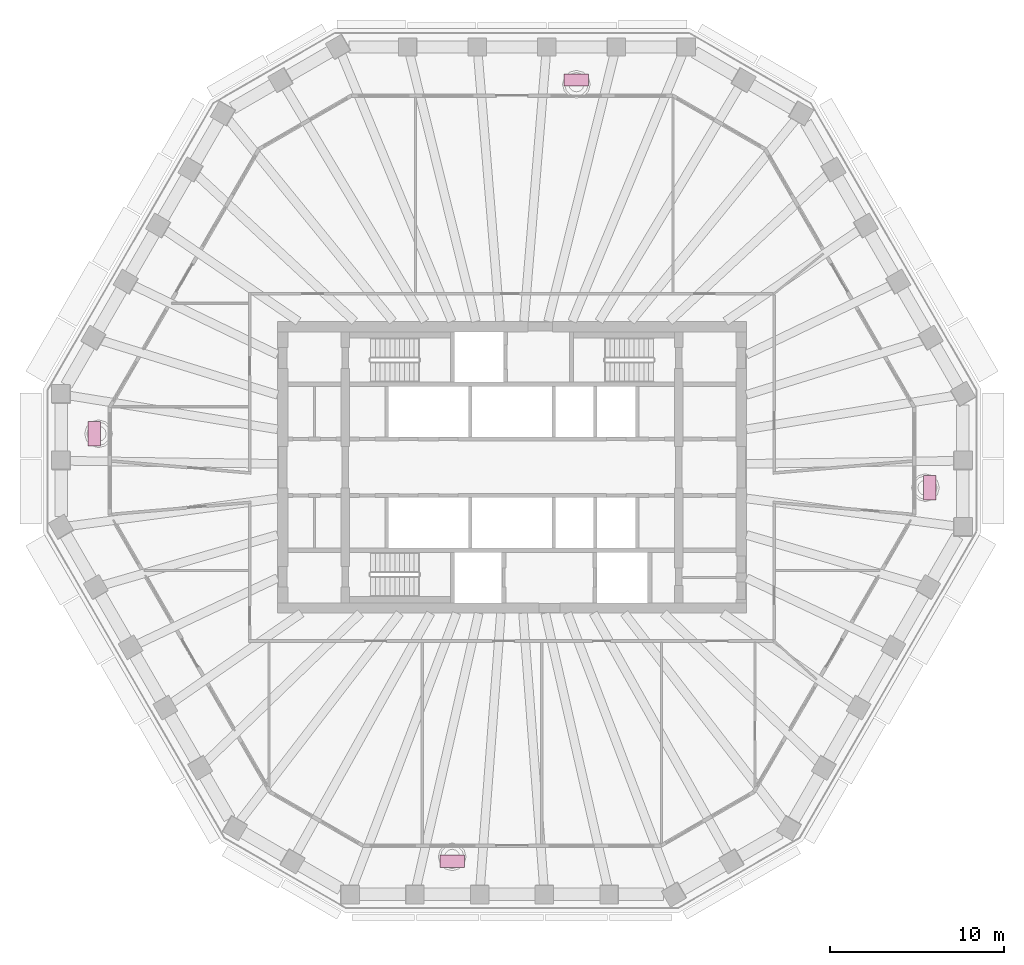
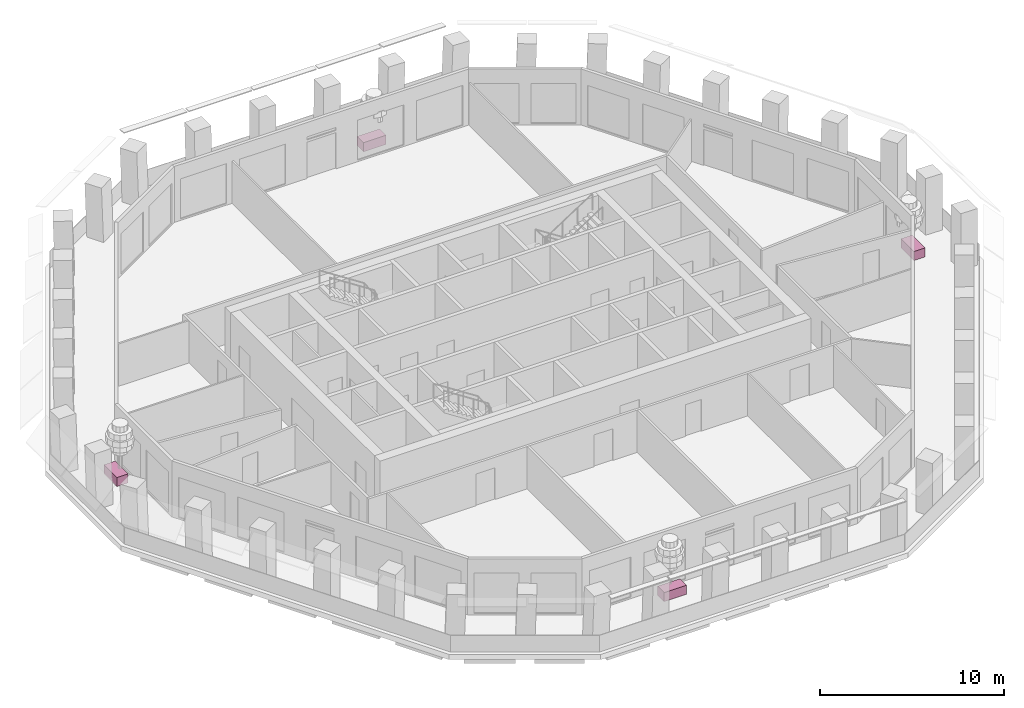
# One storey, part 11 of 12: 4 furniture elements.
"""IFC4 building model written with IfcOpenShell, lengths in metres."""

from ifc_helpers import new_model, si_unit, direction, frame, origin, origin_2d, place, context, subcontext, project, spatial, rectangle, extrude, material, type_object, element, save


model = new_model("IFC4")

# Units and contexts
model_context = context("Model", 3, precision=1e-05, world=origin(), true_north=direction((0.0, 1.0)))
body_context = subcontext(model_context, "Body", "Model", "MODEL_VIEW")
ifc_project = project(units=[si_unit("LENGTHUNIT", "METRE"), si_unit("AREAUNIT", "SQUARE_METRE"), si_unit("VOLUMEUNIT", "CUBIC_METRE"), si_unit("PLANEANGLEUNIT", "RADIAN"), si_unit("MASSUNIT", "GRAM", prefix="KILO")], contexts=[model_context])

# Site, building, storey
site_placement = place(None, origin())
site = spatial("IfcSite", under=ifc_project, at=site_placement, CompositionType="ELEMENT")
building_placement = place(site_placement, origin())
building = spatial("IfcBuilding", under=site, at=building_placement, Name="Frailejon Research Tower", CompositionType="ELEMENT")
storey_placement = place(building_placement, frame((0.0, 0.0, 223.39990234375)))
storey = spatial("IfcBuildingStorey", under=building, at=storey_placement, Name="L48", CompositionType="ELEMENT", Elevation=223.39990234375)

# Furniture
ifc_material = material(Name="Precast concrete C30/37 planter, terracotta", Category="masonry")
furniture_type = type_object("IfcFurnitureType", Name="Loggia planter 1400x700", AssemblyPlace="NOTDEFINED", PredefinedType="USERDEFINED", material=ifc_material)
for number, where, z_axis, x_axis, name in (
    (1, (24.052001953125, -1.174560546875, 0.0), (0.0, 0.0, 1.0), (0.0, 1.0, 0.0), "Planter L48"),
    (2, (3.7060546875, 22.300048828125, 0.0), (0.0, 0.0, 1.0), (-1.0, 0.0, 0.0), "Planter L48"),
    (3, (-24.052001953125, 1.9287109375, 0.0), (0.0, 0.0, 1.0), (0.0, -1.0, 0.0), "Planter L48"),
    (4, (-3.44482421875, -22.677001953125, 0.0), (0.0, 0.0, 1.0), (1.0, 0.0, 0.0), "Planter L48"),
):
    element("IfcFurniture", number, at=place(storey_placement, frame(where, z_axis=z_axis, x_axis=x_axis)), inside=storey, type_object=furniture_type, Name=name, ObjectType="PLANTER", PredefinedType="USERDEFINED", context=body_context, shape_type="SweptSolid", body=[
        extrude(rectangle(XDim=1.39990234375, YDim=0.699951171875, at=origin_2d()), origin(), (0.0, 0.0, 1.0), 0.60009765625),
    ])

save(model, "model.ifc")
